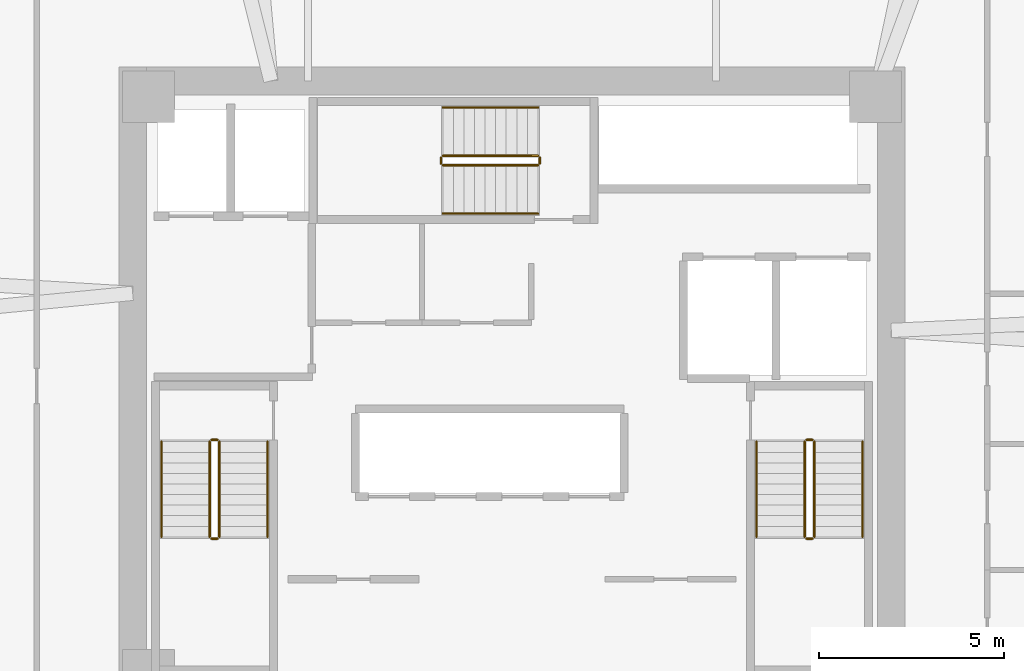
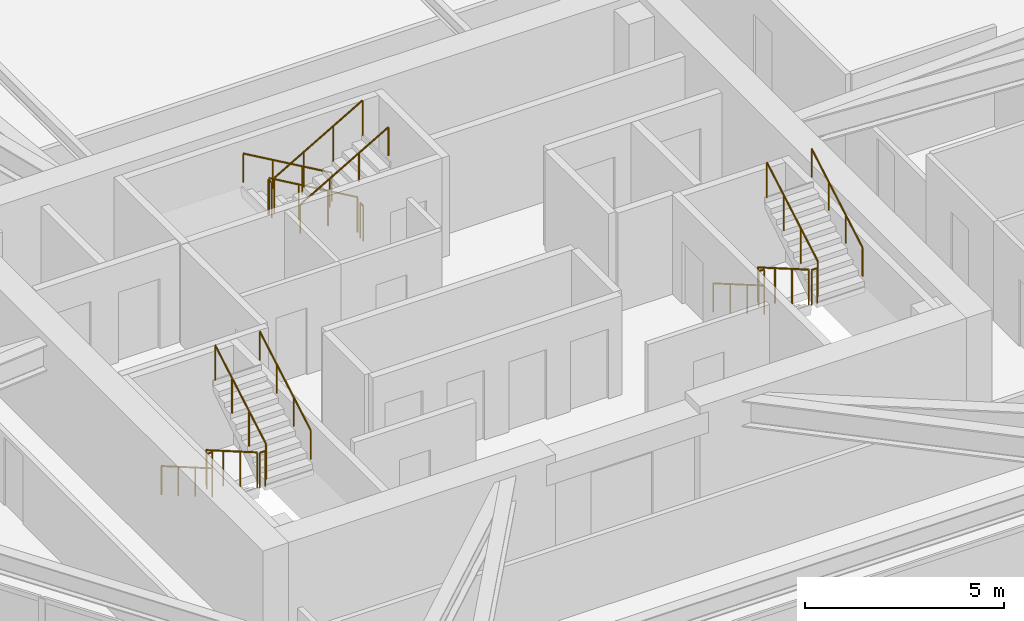
# One storey, part 15 of 15: 18 railings.
"""IFC4 building model written with IfcOpenShell, lengths in metres."""

from ifc_helpers import new_model, si_unit, direction, frame, origin, origin_2d, place, context, subcontext, project, spatial, circle, extrude, material, type_object, element, save


model = new_model("IFC4")

# Units and contexts
model_context = context("Model", 3, precision=1e-05, world=origin(), true_north=direction((0.0, 1.0)))
body_context = subcontext(model_context, "Body", "Model", "MODEL_VIEW")
ifc_project = project(units=[si_unit("LENGTHUNIT", "METRE"), si_unit("AREAUNIT", "SQUARE_METRE"), si_unit("VOLUMEUNIT", "CUBIC_METRE"), si_unit("PLANEANGLEUNIT", "RADIAN"), si_unit("MASSUNIT", "GRAM", prefix="KILO")], contexts=[model_context])

# Site, building, storey
site_placement = place(None, origin())
site = spatial("IfcSite", under=ifc_project, at=site_placement, CompositionType="ELEMENT")
building_placement = place(site_placement, origin())
building = spatial("IfcBuilding", under=site, at=building_placement, Name="Durnholm Broadcast Tower", CompositionType="ELEMENT")
storey_placement = place(building_placement, frame((0.0, 0.0, 104.10009765625)))
storey = spatial("IfcBuildingStorey", under=building, at=storey_placement, Name="L27", CompositionType="ELEMENT", Elevation=104.10009765625)

# Railings
ifc_material_1 = material(Name="Painted Tubular Steel Stair Guardrail", Category="steel")
railing_type_1 = type_object("IfcRailingType", Name="RAIL-ST-GRD", PredefinedType="GUARDRAIL", material=ifc_material_1)
railing_1_placement = place(storey_placement, frame((-8.14990234375, -1.5, 0.164794921875)))
element("IfcRailing", 1, at=railing_1_placement, inside=storey, type_object=railing_type_1, Name="L27 ST-1 stair guard 1", PredefinedType="GUARDRAIL", context=body_context, shape_type="SweptSolid", body=[
    extrude(circle(Radius=0.02392578125, at=origin_2d()), frame((0.0, 0.0, 1.076171875), z_axis=(0.0, -0.865405606168, 0.501071987656), x_axis=(1.0, 0.0, 0.0)), (0.0, 0.0, 1.0), 2.9638671875),
    extrude(circle(Radius=0.02099609375, at=origin_2d()), origin(), (0.0, 0.0, 1.0), 1.052001953125),
    extrude(circle(Radius=0.02099609375, at=origin_2d()), frame((0.0, -0.85498046875, 0.4951171875)), (0.0, 0.0, 1.0), 1.052001953125),
    extrude(circle(Radius=0.02099609375, at=origin_2d()), frame((0.0, -1.7099609375, 0.989990234375)), (0.0, 0.0, 1.0), 1.052001953125),
    extrude(circle(Radius=0.02099609375, at=origin_2d()), frame((0.0, -2.56494140625, 1.485107421875)), (0.0, 0.0, 1.0), 1.052001953125),
])
railing_2_placement = place(storey_placement, frame((-8.10009765625, -4.114990234375, 1.64990234375)))
element("IfcRailing", 2, at=railing_2_placement, inside=storey, type_object=railing_type_1, Name="L27 ST-1 stair guard 2", PredefinedType="GUARDRAIL", context=body_context, shape_type="SweptSolid", body=[
    extrude(circle(Radius=0.02392578125, at=origin_2d()), frame((0.0, 0.0, 1.076171875), z_axis=(1.0, 0.0, 0.0), x_axis=(0.0, 1.0, 0.0)), (0.0, 0.0, 1.0), 0.16015625),
    extrude(circle(Radius=0.02099609375, at=origin_2d()), origin(), (0.0, 0.0, 1.0), 1.052001953125),
    extrude(circle(Radius=0.02099609375, at=origin_2d()), frame((0.16015625, 0.0, 0.0)), (0.0, 0.0, 1.0), 1.052001953125),
])
railing_3_placement = place(storey_placement, frame((-7.889892578125, -4.06494140625, 1.81494140625)))
element("IfcRailing", 3, at=railing_3_placement, inside=storey, type_object=railing_type_1, Name="L27 ST-1 stair guard 3", PredefinedType="GUARDRAIL", context=body_context, shape_type="SweptSolid", body=[
    extrude(circle(Radius=0.02392578125, at=origin_2d()), frame((0.0, 0.0, 1.076171875), z_axis=(0.0, 0.865441324677, 0.50101029285), x_axis=(-1.0, 0.0, 0.0)), (0.0, 0.0, 1.0), 2.963623046875),
    extrude(circle(Radius=0.02099609375, at=origin_2d()), origin(), (0.0, 0.0, 1.0), 1.052001953125),
    extrude(circle(Radius=0.02099609375, at=origin_2d()), frame((0.0, 0.85498046875, 0.494873046875)), (0.0, 0.0, 1.0), 1.052001953125),
    extrude(circle(Radius=0.02099609375, at=origin_2d()), frame((0.0, 1.7099609375, 0.989990234375)), (0.0, 0.0, 1.0), 1.052001953125),
    extrude(circle(Radius=0.02099609375, at=origin_2d()), frame((0.0, 2.56494140625, 1.48486328125)), (0.0, 0.0, 1.0), 1.052001953125),
])
railing_4_placement = place(storey_placement, frame((-8.10009765625, -1.449951171875, 0.0)))
element("IfcRailing", 4, at=railing_4_placement, inside=storey, type_object=railing_type_1, Name="L27 ST-1 stair guard 4", PredefinedType="GUARDRAIL", context=body_context, shape_type="SweptSolid", body=[
    extrude(circle(Radius=0.02392578125, at=origin_2d()), frame((0.0, 0.0, 1.076171875), z_axis=(1.0, 0.0, 0.0), x_axis=(0.0, 1.0, 0.0)), (0.0, 0.0, 1.0), 0.16015625),
    extrude(circle(Radius=0.02099609375, at=origin_2d()), origin(), (0.0, 0.0, 1.0), 1.052001953125),
    extrude(circle(Radius=0.02099609375, at=origin_2d()), frame((0.16015625, 0.0, 0.0)), (0.0, 0.0, 1.0), 1.052001953125),
])
railing_5_placement = place(storey_placement, frame((7.889892578125, -1.5, 0.164794921875)))
element("IfcRailing", 5, at=railing_5_placement, inside=storey, type_object=railing_type_1, Name="L27 ST-2 stair guard 1", PredefinedType="GUARDRAIL", context=body_context, shape_type="SweptSolid", body=[
    extrude(circle(Radius=0.02392578125, at=origin_2d()), frame((0.0, 0.0, 1.076171875), z_axis=(0.0, -0.865405606168, 0.501071987656), x_axis=(1.0, 0.0, 0.0)), (0.0, 0.0, 1.0), 2.9638671875),
    extrude(circle(Radius=0.02099609375, at=origin_2d()), origin(), (0.0, 0.0, 1.0), 1.052001953125),
    extrude(circle(Radius=0.02099609375, at=origin_2d()), frame((0.0, -0.85498046875, 0.4951171875)), (0.0, 0.0, 1.0), 1.052001953125),
    extrude(circle(Radius=0.02099609375, at=origin_2d()), frame((0.0, -1.7099609375, 0.989990234375)), (0.0, 0.0, 1.0), 1.052001953125),
    extrude(circle(Radius=0.02099609375, at=origin_2d()), frame((0.0, -2.56494140625, 1.485107421875)), (0.0, 0.0, 1.0), 1.052001953125),
])
railing_6_placement = place(storey_placement, frame((7.93994140625, -4.114990234375, 1.64990234375)))
element("IfcRailing", 6, at=railing_6_placement, inside=storey, type_object=railing_type_1, Name="L27 ST-2 stair guard 2", PredefinedType="GUARDRAIL", context=body_context, shape_type="SweptSolid", body=[
    extrude(circle(Radius=0.02392578125, at=origin_2d()), frame((0.0, 0.0, 1.076171875), z_axis=(1.0, 0.0, 0.0), x_axis=(0.0, 1.0, 0.0)), (0.0, 0.0, 1.0), 0.16015625),
    extrude(circle(Radius=0.02099609375, at=origin_2d()), origin(), (0.0, 0.0, 1.0), 1.052001953125),
    extrude(circle(Radius=0.02099609375, at=origin_2d()), frame((0.16015625, 0.0, 0.0)), (0.0, 0.0, 1.0), 1.052001953125),
])
railing_7_placement = place(storey_placement, frame((8.14990234375, -4.06494140625, 1.81494140625)))
element("IfcRailing", 7, at=railing_7_placement, inside=storey, type_object=railing_type_1, Name="L27 ST-2 stair guard 3", PredefinedType="GUARDRAIL", context=body_context, shape_type="SweptSolid", body=[
    extrude(circle(Radius=0.02392578125, at=origin_2d()), frame((0.0, 0.0, 1.076171875), z_axis=(0.0, 0.865441324677, 0.50101029285), x_axis=(-1.0, 0.0, 0.0)), (0.0, 0.0, 1.0), 2.963623046875),
    extrude(circle(Radius=0.02099609375, at=origin_2d()), origin(), (0.0, 0.0, 1.0), 1.052001953125),
    extrude(circle(Radius=0.02099609375, at=origin_2d()), frame((0.0, 0.85498046875, 0.494873046875)), (0.0, 0.0, 1.0), 1.052001953125),
    extrude(circle(Radius=0.02099609375, at=origin_2d()), frame((0.0, 1.7099609375, 0.989990234375)), (0.0, 0.0, 1.0), 1.052001953125),
    extrude(circle(Radius=0.02099609375, at=origin_2d()), frame((0.0, 2.56494140625, 1.48486328125)), (0.0, 0.0, 1.0), 1.052001953125),
])
railing_8_placement = place(storey_placement, frame((7.93994140625, -1.449951171875, 0.0)))
element("IfcRailing", 8, at=railing_8_placement, inside=storey, type_object=railing_type_1, Name="L27 ST-2 stair guard 4", PredefinedType="GUARDRAIL", context=body_context, shape_type="SweptSolid", body=[
    extrude(circle(Radius=0.02392578125, at=origin_2d()), frame((0.0, 0.0, 1.076171875), z_axis=(1.0, 0.0, 0.0), x_axis=(0.0, 1.0, 0.0)), (0.0, 0.0, 1.0), 0.16015625),
    extrude(circle(Radius=0.02099609375, at=origin_2d()), origin(), (0.0, 0.0, 1.0), 1.052001953125),
    extrude(circle(Radius=0.02099609375, at=origin_2d()), frame((0.16015625, 0.0, 0.0)), (0.0, 0.0, 1.0), 1.052001953125),
])
railing_9_placement = place(storey_placement, frame((0.699951171875, 6.2099609375, 0.164794921875)))
element("IfcRailing", 9, at=railing_9_placement, inside=storey, type_object=railing_type_1, Name="L27 ST-3 stair guard 1", PredefinedType="GUARDRAIL", context=body_context, shape_type="SweptSolid", body=[
    extrude(circle(Radius=0.02392578125, at=origin_2d()), frame((0.0, 0.0, 1.076171875), z_axis=(-0.865405606168, 0.0, 0.501071987656), x_axis=(0.0, -1.0, 0.0)), (0.0, 0.0, 1.0), 2.9638671875),
    extrude(circle(Radius=0.02099609375, at=origin_2d()), origin(), (0.0, 0.0, 1.0), 1.052001953125),
    extrude(circle(Radius=0.02099609375, at=origin_2d()), frame((-0.85498046875, 0.0, 0.4951171875)), (0.0, 0.0, 1.0), 1.052001953125),
    extrude(circle(Radius=0.02099609375, at=origin_2d()), frame((-1.7099609375, 0.0, 0.989990234375)), (0.0, 0.0, 1.0), 1.052001953125),
    extrude(circle(Radius=0.02099609375, at=origin_2d()), frame((-2.56494140625, 0.0, 1.485107421875)), (0.0, 0.0, 1.0), 1.052001953125),
])
railing_10_placement = place(storey_placement, frame((-1.9150390625, 6.159912109375, 1.64990234375)))
element("IfcRailing", 10, at=railing_10_placement, inside=storey, type_object=railing_type_1, Name="L27 ST-3 stair guard 2", PredefinedType="GUARDRAIL", context=body_context, shape_type="SweptSolid", body=[
    extrude(circle(Radius=0.02392578125, at=origin_2d()), frame((0.0, 0.0, 1.076171875), z_axis=(0.0, -1.0, 0.0), x_axis=(1.0, 0.0, 0.0)), (0.0, 0.0, 1.0), 0.159912109375),
    extrude(circle(Radius=0.02099609375, at=origin_2d()), origin(), (0.0, 0.0, 1.0), 1.052001953125),
    extrude(circle(Radius=0.02099609375, at=origin_2d()), frame((0.0, -0.159912109375, 0.0)), (0.0, 0.0, 1.0), 1.052001953125),
])
railing_11_placement = place(storey_placement, frame((-1.864990234375, 5.949951171875, 1.81494140625)))
element("IfcRailing", 11, at=railing_11_placement, inside=storey, type_object=railing_type_1, Name="L27 ST-3 stair guard 3", PredefinedType="GUARDRAIL", context=body_context, shape_type="SweptSolid", body=[
    extrude(circle(Radius=0.02392578125, at=origin_2d()), frame((0.0, 0.0, 1.076171875), z_axis=(0.865441324677, 0.0, 0.50101029285), x_axis=(0.0, 1.0, 0.0)), (0.0, 0.0, 1.0), 2.963623046875),
    extrude(circle(Radius=0.02099609375, at=origin_2d()), origin(), (0.0, 0.0, 1.0), 1.052001953125),
    extrude(circle(Radius=0.02099609375, at=origin_2d()), frame((0.85498046875, 0.0, 0.494873046875)), (0.0, 0.0, 1.0), 1.052001953125),
    extrude(circle(Radius=0.02099609375, at=origin_2d()), frame((1.7099609375, 0.0, 0.989990234375)), (0.0, 0.0, 1.0), 1.052001953125),
    extrude(circle(Radius=0.02099609375, at=origin_2d()), frame((2.56494140625, 0.0, 1.48486328125)), (0.0, 0.0, 1.0), 1.052001953125),
])
railing_12_placement = place(storey_placement, frame((0.75, 6.159912109375, 0.0)))
element("IfcRailing", 12, at=railing_12_placement, inside=storey, type_object=railing_type_1, Name="L27 ST-3 stair guard 4", PredefinedType="GUARDRAIL", context=body_context, shape_type="SweptSolid", body=[
    extrude(circle(Radius=0.02392578125, at=origin_2d()), frame((0.0, 0.0, 1.076171875), z_axis=(0.0, -1.0, 0.0), x_axis=(1.0, 0.0, 0.0)), (0.0, 0.0, 1.0), 0.159912109375),
    extrude(circle(Radius=0.02099609375, at=origin_2d()), origin(), (0.0, 0.0, 1.0), 1.052001953125),
    extrude(circle(Radius=0.02099609375, at=origin_2d()), frame((0.0, -0.159912109375, 0.0)), (0.0, 0.0, 1.0), 1.052001953125),
])
ifc_material_2 = material(Name="Brushed Stainless Steel Handrail", Category="steel")
railing_type_2 = type_object("IfcRailingType", Name="RAIL-ST-HND", PredefinedType="HANDRAIL", material=ifc_material_2)
railing_13_placement = place(storey_placement, frame((-9.449951171875, -1.5, 0.329833984375)))
element("IfcRailing", 13, at=railing_13_placement, inside=storey, type_object=railing_type_2, Name="L27 ST-1 stair handrail 1", PredefinedType="HANDRAIL", context=body_context, shape_type="SweptSolid", body=[
    extrude(circle(Radius=0.02392578125, at=origin_2d()), frame((0.0, 0.0, 0.8759765625), z_axis=(0.0, -0.865405606168, 0.501071987656), x_axis=(1.0, 0.0, 0.0)), (0.0, 0.0, 1.0), 2.9638671875),
    extrude(circle(Radius=0.02099609375, at=origin_2d()), origin(), (0.0, 0.0, 1.0), 0.851806640625),
    extrude(circle(Radius=0.02099609375, at=origin_2d()), frame((0.0, -0.85498046875, 0.4951171875)), (0.0, 0.0, 1.0), 0.851806640625),
    extrude(circle(Radius=0.02099609375, at=origin_2d()), frame((0.0, -1.7099609375, 0.989990234375)), (0.0, 0.0, 1.0), 0.851806640625),
    extrude(circle(Radius=0.02099609375, at=origin_2d()), frame((0.0, -2.56494140625, 1.485107421875)), (0.0, 0.0, 1.0), 0.851806640625),
])
railing_14_placement = place(storey_placement, frame((-6.590087890625, -4.06494140625, 1.97998046875)))
element("IfcRailing", 14, at=railing_14_placement, inside=storey, type_object=railing_type_2, Name="L27 ST-1 stair handrail 2", PredefinedType="HANDRAIL", context=body_context, shape_type="SweptSolid", body=[
    extrude(circle(Radius=0.02392578125, at=origin_2d()), frame((0.0, 0.0, 0.8759765625), z_axis=(0.0, 0.865441324677, 0.50101029285), x_axis=(-1.0, 0.0, 0.0)), (0.0, 0.0, 1.0), 2.963623046875),
    extrude(circle(Radius=0.02099609375, at=origin_2d()), origin(), (0.0, 0.0, 1.0), 0.851806640625),
    extrude(circle(Radius=0.02099609375, at=origin_2d()), frame((0.0, 0.85498046875, 0.494873046875)), (0.0, 0.0, 1.0), 0.851806640625),
    extrude(circle(Radius=0.02099609375, at=origin_2d()), frame((0.0, 1.7099609375, 0.989990234375)), (0.0, 0.0, 1.0), 0.851806640625),
    extrude(circle(Radius=0.02099609375, at=origin_2d()), frame((0.0, 2.56494140625, 1.48486328125)), (0.0, 0.0, 1.0), 0.851806640625),
])
railing_15_placement = place(storey_placement, frame((6.590087890625, -1.5, 0.329833984375)))
element("IfcRailing", 15, at=railing_15_placement, inside=storey, type_object=railing_type_2, Name="L27 ST-2 stair handrail 1", PredefinedType="HANDRAIL", context=body_context, shape_type="SweptSolid", body=[
    extrude(circle(Radius=0.02392578125, at=origin_2d()), frame((0.0, 0.0, 0.8759765625), z_axis=(0.0, -0.865405606168, 0.501071987656), x_axis=(1.0, 0.0, 0.0)), (0.0, 0.0, 1.0), 2.9638671875),
    extrude(circle(Radius=0.02099609375, at=origin_2d()), origin(), (0.0, 0.0, 1.0), 0.851806640625),
    extrude(circle(Radius=0.02099609375, at=origin_2d()), frame((0.0, -0.85498046875, 0.4951171875)), (0.0, 0.0, 1.0), 0.851806640625),
    extrude(circle(Radius=0.02099609375, at=origin_2d()), frame((0.0, -1.7099609375, 0.989990234375)), (0.0, 0.0, 1.0), 0.851806640625),
    extrude(circle(Radius=0.02099609375, at=origin_2d()), frame((0.0, -2.56494140625, 1.485107421875)), (0.0, 0.0, 1.0), 0.851806640625),
])
railing_16_placement = place(storey_placement, frame((9.449951171875, -4.06494140625, 1.97998046875)))
element("IfcRailing", 16, at=railing_16_placement, inside=storey, type_object=railing_type_2, Name="L27 ST-2 stair handrail 2", PredefinedType="HANDRAIL", context=body_context, shape_type="SweptSolid", body=[
    extrude(circle(Radius=0.02392578125, at=origin_2d()), frame((0.0, 0.0, 0.8759765625), z_axis=(0.0, 0.865441324677, 0.50101029285), x_axis=(-1.0, 0.0, 0.0)), (0.0, 0.0, 1.0), 2.963623046875),
    extrude(circle(Radius=0.02099609375, at=origin_2d()), origin(), (0.0, 0.0, 1.0), 0.851806640625),
    extrude(circle(Radius=0.02099609375, at=origin_2d()), frame((0.0, 0.85498046875, 0.494873046875)), (0.0, 0.0, 1.0), 0.851806640625),
    extrude(circle(Radius=0.02099609375, at=origin_2d()), frame((0.0, 1.7099609375, 0.989990234375)), (0.0, 0.0, 1.0), 0.851806640625),
    extrude(circle(Radius=0.02099609375, at=origin_2d()), frame((0.0, 2.56494140625, 1.48486328125)), (0.0, 0.0, 1.0), 0.851806640625),
])
railing_17_placement = place(storey_placement, frame((0.699951171875, 7.510009765625, 0.329833984375)))
element("IfcRailing", 17, at=railing_17_placement, inside=storey, type_object=railing_type_2, Name="L27 ST-3 stair handrail 1", PredefinedType="HANDRAIL", context=body_context, shape_type="SweptSolid", body=[
    extrude(circle(Radius=0.02392578125, at=origin_2d()), frame((0.0, 0.0, 0.8759765625), z_axis=(-0.865405606168, 0.0, 0.501071987656), x_axis=(0.0, -1.0, 0.0)), (0.0, 0.0, 1.0), 2.9638671875),
    extrude(circle(Radius=0.02099609375, at=origin_2d()), origin(), (0.0, 0.0, 1.0), 0.851806640625),
    extrude(circle(Radius=0.02099609375, at=origin_2d()), frame((-0.85498046875, 0.0, 0.4951171875)), (0.0, 0.0, 1.0), 0.851806640625),
    extrude(circle(Radius=0.02099609375, at=origin_2d()), frame((-1.7099609375, 0.0, 0.989990234375)), (0.0, 0.0, 1.0), 0.851806640625),
    extrude(circle(Radius=0.02099609375, at=origin_2d()), frame((-2.56494140625, 0.0, 1.485107421875)), (0.0, 0.0, 1.0), 0.851806640625),
])
railing_18_placement = place(storey_placement, frame((-1.864990234375, 4.64990234375, 1.97998046875)))
element("IfcRailing", 18, at=railing_18_placement, inside=storey, type_object=railing_type_2, Name="L27 ST-3 stair handrail 2", PredefinedType="HANDRAIL", context=body_context, shape_type="SweptSolid", body=[
    extrude(circle(Radius=0.02392578125, at=origin_2d()), frame((0.0, 0.0, 0.8759765625), z_axis=(0.865441324677, 0.0, 0.50101029285), x_axis=(0.0, 1.0, 0.0)), (0.0, 0.0, 1.0), 2.963623046875),
    extrude(circle(Radius=0.02099609375, at=origin_2d()), origin(), (0.0, 0.0, 1.0), 0.851806640625),
    extrude(circle(Radius=0.02099609375, at=origin_2d()), frame((0.85498046875, 0.0, 0.494873046875)), (0.0, 0.0, 1.0), 0.851806640625),
    extrude(circle(Radius=0.02099609375, at=origin_2d()), frame((1.7099609375, 0.0, 0.989990234375)), (0.0, 0.0, 1.0), 0.851806640625),
    extrude(circle(Radius=0.02099609375, at=origin_2d()), frame((2.56494140625, 0.0, 1.48486328125)), (0.0, 0.0, 1.0), 0.851806640625),
])

save(model, "model.ifc")
